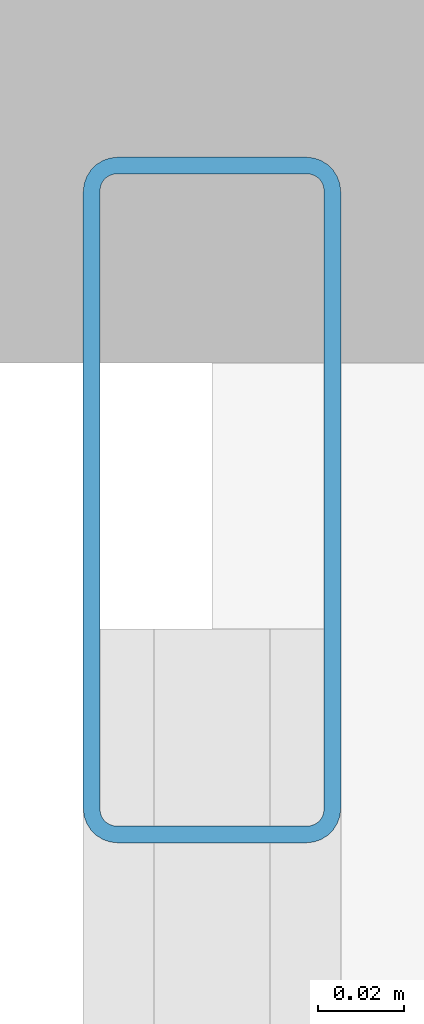
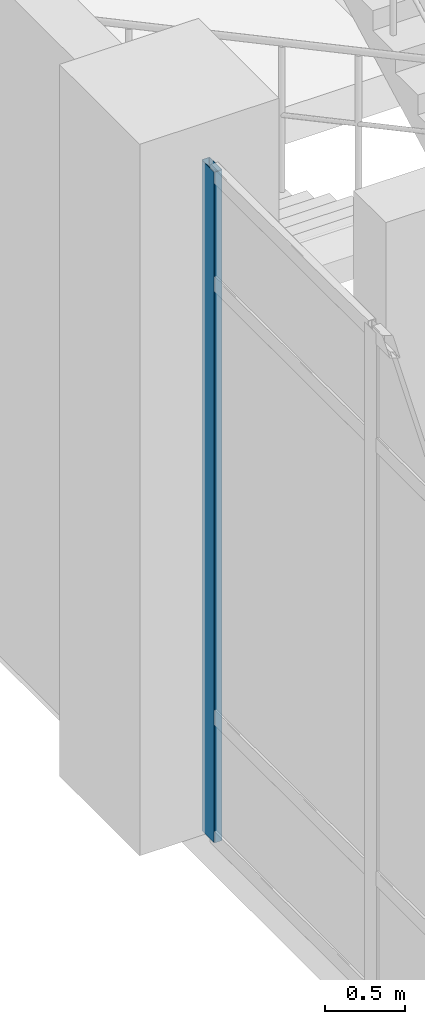
# One storey, part 17 of 114: 1 member, 1 element without a shape of its own.
"""IFC4 building model written with IfcOpenShell, lengths in metres."""

from ifc_helpers import new_model, si_unit, derived_unit, direction, frame, origin, origin_2d, place, context, subcontext, project, spatial, hollow_rectangle, extrude, material, layer, layer_set, material_profile, profile_set, type_object, element, aggregate, save


model = new_model("IFC4")

# Units and contexts
model_context = context("Model", 3, precision=1e-05, world=origin(), true_north=direction((0.0, 1.0)))
body_context = subcontext(model_context, "Body", "Model", "MODEL_VIEW")
ifc_project = project(units=[si_unit("LENGTHUNIT", "METRE"), si_unit("AREAUNIT", "SQUARE_METRE"), si_unit("VOLUMEUNIT", "CUBIC_METRE"), si_unit("PLANEANGLEUNIT", "RADIAN"), si_unit("MASSUNIT", "GRAM", prefix="KILO"), derived_unit("THERMALTRANSMITTANCEUNIT", [(si_unit("MASSUNIT", "GRAM", prefix="KILO"), 1), (si_unit("TIMEUNIT", "SECOND"), -3), (si_unit("THERMODYNAMICTEMPERATUREUNIT", "KELVIN"), -1)])], contexts=[model_context])

# Site, building, storey
site_placement = place(None, origin())
site = spatial("IfcSite", under=ifc_project, at=site_placement, CompositionType="ELEMENT")
building_placement = place(site_placement, origin())
building = spatial("IfcBuilding", under=site, at=building_placement, Name="Qinzheling Arcade Emporium", CompositionType="ELEMENT")
storey_placement = place(building_placement, frame((0.0, 0.0, 6.0)))
storey = spatial("IfcBuildingStorey", under=building, at=storey_placement, Name="L02", CompositionType="ELEMENT", Elevation=6.0)

# Curtain wall, member
ifc_material_1 = material(Name="Anodised aluminium and solar-control double glazing", Category="aluminium")
ifc_layer = layer(ifc_material_1, 0.159912109375, Name="Anodised aluminium and solar-control double glazing", Category="aluminium")
ifc_layer_set = layer_set([ifc_layer], Name="Anodised aluminium and solar-control double glazing")
curtain_wall_type = type_object("IfcCurtainWallType", Name="Arcade Portal Glazed Curtain Wall", PredefinedType="NOTDEFINED", material=ifc_layer_set)
curtain_wall_placement = place(storey_placement, origin())
curtain_wall = element("IfcCurtainWall", 1, at=curtain_wall_placement, inside=storey, type_object=curtain_wall_type, Name="Curtain Wall CW-L02-084", PredefinedType="NOTDEFINED")
ifc_material_2 = material(Name="Anodised aluminium 6063-T6", Category="aluminium")
ifc_material_profile = material_profile(ifc_material_2, hollow_rectangle(XDim=0.06005859375, YDim=0.159912109375, WallThickness=0.00390625, InnerFilletRadius=0.00390625, OuterFilletRadius=0.008056640625, at=origin_2d()), Name="RHS 160x60x4", Category="aluminium")
ifc_profile_set = profile_set([ifc_material_profile], Name="Anodised aluminium 6063-T6")
member_type = type_object("IfcMemberType", Name="Curtain Wall Mullion RHS160x60", PredefinedType="MULLION", material=ifc_profile_set)
member_placement = place(storey_placement, frame((0.0, 33.068115234375, 0.0), z_axis=(0.0, 0.0, 1.0), x_axis=(-1.0, 0.0, 0.0)))
member = element("IfcMember", 2, at=member_placement, type_object=member_type, Name="CW05 mullion 3", PredefinedType="MULLION", context=body_context, shape_type="SweptSolid", body=[
    extrude(hollow_rectangle(XDim=0.06005859375, YDim=0.159912109375, WallThickness=0.00390625, InnerFilletRadius=0.00390625, OuterFilletRadius=0.008056640625, at=origin_2d()), origin(), (0.0, 0.0, 1.0), 5.090087890625),
])
aggregate(curtain_wall, [member])

save(model, "model.ifc")
